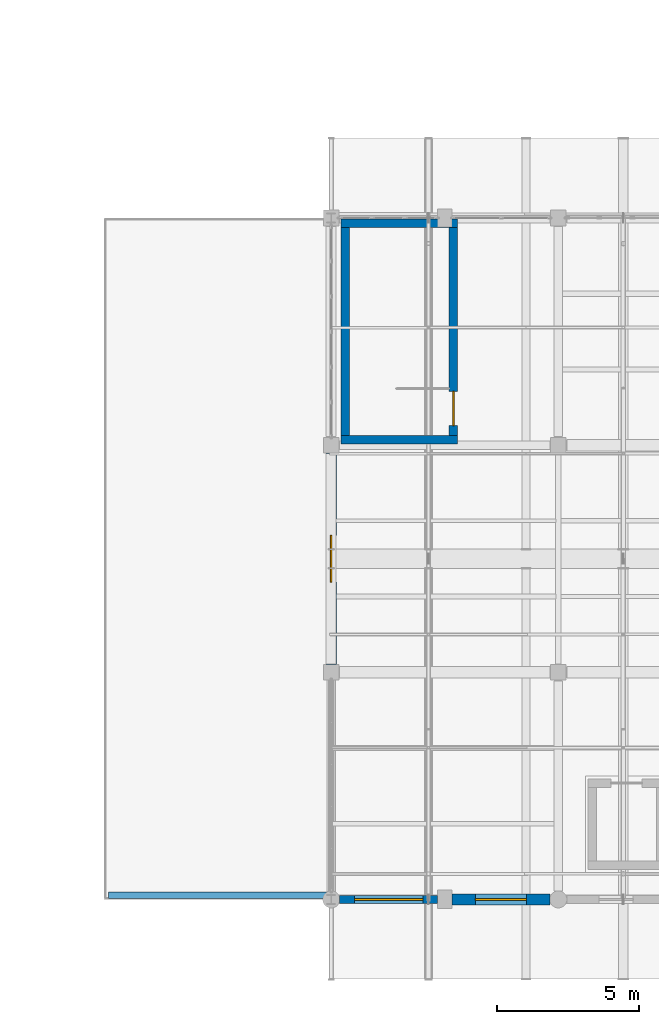
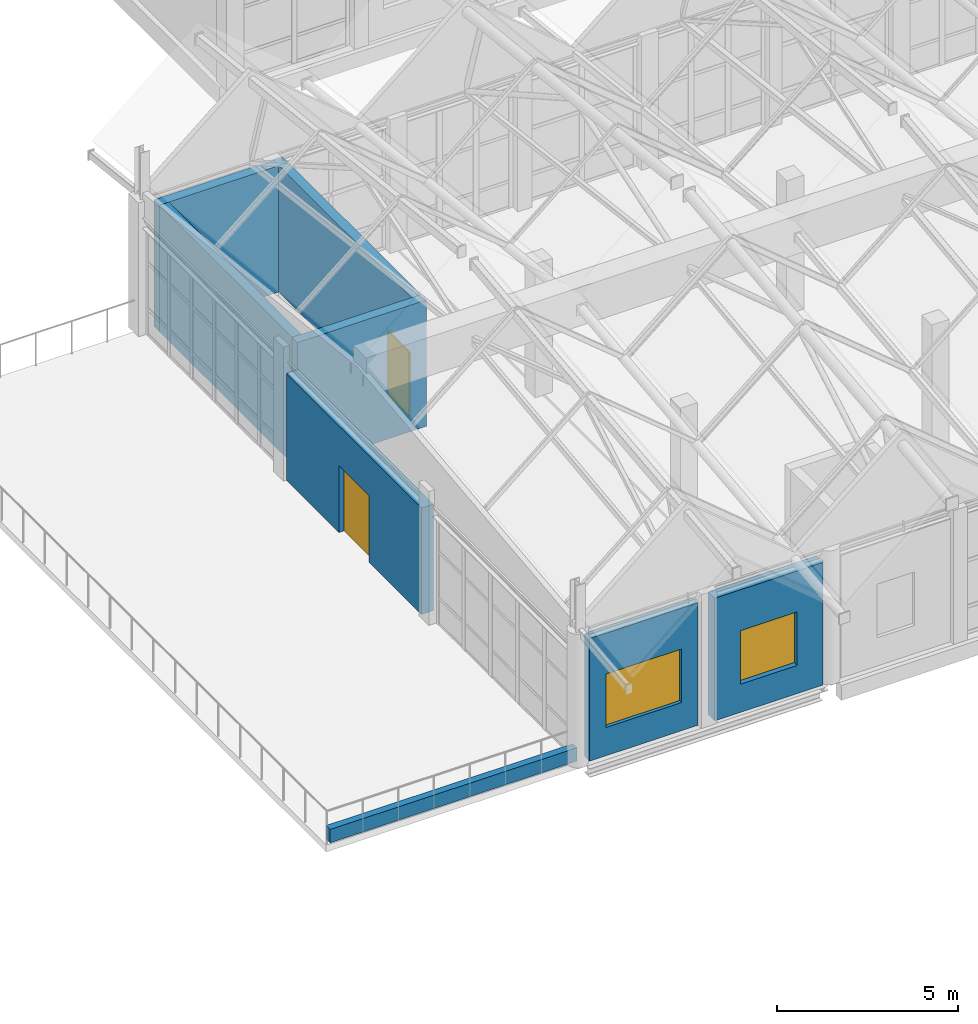
# One storey, part 142 of 183: 8 walls, 2 doors, 2 windows, 4 openings.
"""IFC4 building model written with IfcOpenShell, lengths in metres."""

from ifc_helpers import new_model, si_unit, direction, frame, frame_2d, origin, place, context, subcontext, project, spatial, rectangle, extrude, material, layer, layer_set, type_object, element, fill, save


model = new_model("IFC4")

# Units and contexts
model_context = context("Model", 3, precision=1e-05, world=origin(), true_north=direction((0.0, 1.0)))
body_context = subcontext(model_context, "Body", "Model", "MODEL_VIEW")
ifc_project = project(units=[si_unit("LENGTHUNIT", "METRE"), si_unit("AREAUNIT", "SQUARE_METRE"), si_unit("VOLUMEUNIT", "CUBIC_METRE"), si_unit("PLANEANGLEUNIT", "RADIAN"), si_unit("MASSUNIT", "GRAM", prefix="KILO")], contexts=[model_context])

# Site, building, storey
site_placement = place(None, origin())
site = spatial("IfcSite", under=ifc_project, at=site_placement, CompositionType="ELEMENT")
building_placement = place(site_placement, origin())
building = spatial("IfcBuilding", under=site, at=building_placement, Name="Luwemba Playhouse", CompositionType="ELEMENT")
storey_placement = place(building_placement, frame((0.0, 0.0, 4.800048828125)))
storey = spatial("IfcBuildingStorey", under=building, at=storey_placement, Name="L01", CompositionType="ELEMENT", Elevation=4.800048828125)

# Wall, opening, door
ifc_material_1 = material(Name="Clay facing brick obra vista masonry", Category="masonry")
ifc_layer_1 = layer(ifc_material_1, 0.3798828125)
ifc_layer_set_1 = layer_set([ifc_layer_1], Name="Clay facing brick obra vista masonry")
wall_type_1 = type_object("IfcWallType", Name="WAL-BRK-380", PredefinedType="SOLIDWALL", material=ifc_layer_set_1)
wall_1_placement = place(storey_placement, frame((124.0, 11.27490234375, 0.0), z_axis=(0.0, 0.0, 1.0), x_axis=(0.0, 1.0, 0.0)))
wall_1 = element("IfcWall", 1, at=wall_1_placement, inside=storey, type_object=wall_type_1, Name="L01 V5E exterior facade wall 0200", PredefinedType="SOLIDWALL", context=body_context, shape_type="SweptSolid", body=[
    extrude(rectangle(XDim=7.4501953125, YDim=0.3798828125, at=frame_2d((3.72509765625, 0.0))), origin(), (0.0, 0.0, 1.0), 3.5849609375),
])
opening_1_placement = place(wall_1_placement, frame((2.89990234375, 0.0, 0.0)))
opening_1 = element("IfcOpeningElement", 2, at=opening_1_placement, cuts=wall_1, Name="Opening D-TR1", PredefinedType="OPENING", context=body_context, shape_type="SweptSolid", body=[
    extrude(rectangle(XDim=1.64990234375, YDim=2.25, at=frame_2d((0.824951171875, 1.125))), frame((0.0, 0.199951171875, 0.0), z_axis=(0.0, -1.0, 0.0), x_axis=(1.0, 0.0, 0.0)), (0.0, 0.0, 1.0), 0.39990234375),
])
ifc_material_2 = material(Name="Architectural bronze-anodised aluminium and glazed leaf", Category="aluminium")
door_type_1 = type_object("IfcDoorType", Name="DR-TER-165", OperationType="NOTDEFINED", PredefinedType="DOOR", material=ifc_material_2)
door_1_placement = place(opening_1_placement, origin())
door_1 = element("IfcDoor", 3, at=door_1_placement, inside=storey, type_object=door_type_1, Name="L01 TER-V5E-L01 terrace entrance door", OperationType="DOUBLE_DOOR_SINGLE_SWING", OverallHeight=2.25, OverallWidth=1.64990234375, PredefinedType="DOOR", context=body_context, shape_type="SweptSolid", body=[
    extrude(rectangle(XDim=1.64990234375, YDim=2.25, at=frame_2d((0.824951171875, 1.125))), frame((0.0, 0.02490234375, 0.0), z_axis=(0.0, -1.0, 0.0), x_axis=(1.0, 0.0, 0.0)), (0.0, 0.0, 1.0), 0.050048828125),
])
fill(opening_1, door_1)

# Wall, opening, window
wall_2_placement = place(storey_placement, frame((131.699951171875, 3.0, 0.0), z_axis=(0.0, 0.0, 1.0), x_axis=(-1.0, 0.0, 0.0)))
wall_2 = element("IfcWall", 4, at=wall_2_placement, inside=storey, type_object=wall_type_1, Name="L01 V5E exterior facade wall 0202", PredefinedType="SOLIDWALL", context=body_context, shape_type="SweptSolid", body=[
    extrude(rectangle(XDim=3.449951171875, YDim=0.3798828125, at=frame_2d((1.72509765625, 0.0))), origin(), (0.0, 0.0, 1.0), 4.125),
])
opening_2_placement = place(wall_2_placement, frame((0.824951171875, 0.0, 0.949951171875)))
opening_2 = element("IfcOpeningElement", 5, at=opening_2_placement, cuts=wall_2, Name="Opening WN-04", PredefinedType="OPENING", context=body_context, shape_type="SweptSolid", body=[
    extrude(rectangle(XDim=1.800048828125, YDim=1.800048828125, at=frame_2d((0.89990234375, 0.89990234375))), frame((0.0, 0.199951171875, 0.0), z_axis=(0.0, -1.0, 0.0), x_axis=(1.0, 0.0, 0.0)), (0.0, 0.0, 1.0), 0.39990234375),
])
ifc_material_3 = material(Name="Solar-control double glazing in aluminium frame", Category="aluminium")
window_type_1 = type_object("IfcWindowType", Name="WIN-WN-04", PartitioningType="DOUBLE_PANEL_VERTICAL", PredefinedType="WINDOW", material=ifc_material_3)
window_1_placement = place(opening_2_placement, origin())
window_1 = element("IfcWindow", 6, at=window_1_placement, inside=storey, type_object=window_type_1, Name="L01 V5E scheduled window 0150", OverallHeight=1.800048828125, OverallWidth=1.800048828125, PartitioningType="DOUBLE_PANEL_VERTICAL", PredefinedType="WINDOW", context=body_context, shape_type="SweptSolid", body=[
    extrude(rectangle(XDim=1.800048828125, YDim=1.800048828125, at=frame_2d((0.89990234375, 0.89990234375))), frame((0.0, 0.030029296875, 0.0), z_axis=(0.0, -1.0, 0.0), x_axis=(1.0, 0.0, 0.0)), (0.0, 0.0, 1.0), 0.06005859375),
])
fill(opening_2, window_1)

# Walls
ifc_material_4 = material(Name="Concrete C40/50", Category="concrete")
ifc_layer_2 = layer(ifc_material_4, 0.300048828125)
ifc_layer_set_2 = layer_set([ifc_layer_2], Name="Concrete C40/50")
wall_type_2 = type_object("IfcWallType", Name="WAL-CORE-300", PredefinedType="SHEAR", material=ifc_layer_set_2)
for number, where, z_axis, x_axis, name in (
    (7, (124.35009765625, 19.18994140625, 0.0), (0.0, 0.0, 1.0), (1.0, 0.0, 0.0), "L01 ST-14 stair core wall S"),
    (8, (128.449951171875, 26.81005859375, 0.0), (0.0, 0.0, 1.0), (-1.0, 0.0, 0.0), "L01 ST-14 stair core wall N"),
):
    element("IfcWall", number, at=place(storey_placement, frame(where, z_axis=z_axis, x_axis=x_axis)), inside=storey, type_object=wall_type_2, Name=name, PredefinedType="SHEAR", context=body_context, shape_type="SweptSolid", body=[
        extrude(rectangle(XDim=4.099853515625, YDim=0.300048828125, at=frame_2d((2.0498046875, 0.0))), origin(), (0.0, 0.0, 1.0), 4.25),
    ])
wall_3_placement = place(storey_placement, frame((124.5, 19.340087890625, 0.0), z_axis=(0.0, 0.0, 1.0), x_axis=(0.0, 1.0, 0.0)))
element("IfcWall", 9, at=wall_3_placement, inside=storey, type_object=wall_type_2, Name="L01 ST-14 stair core wall W", PredefinedType="SHEAR", context=body_context, shape_type="SweptSolid", body=[
    extrude(rectangle(XDim=7.31982421875, YDim=0.300048828125, at=frame_2d((3.659912109375, 0.0))), origin(), (0.0, 0.0, 1.0), 4.25),
])

# Wall, opening, door
wall_4_placement = place(storey_placement, frame((128.300048828125, 19.340087890625, 0.0), z_axis=(0.0, 0.0, 1.0), x_axis=(0.0, 1.0, 0.0)))
wall_4 = element("IfcWall", 10, at=wall_4_placement, inside=storey, type_object=wall_type_2, Name="L01 ST-14 stair core wall E", PredefinedType="SHEAR", context=body_context, shape_type="SweptSolid", body=[
    extrude(rectangle(XDim=7.31982421875, YDim=0.300048828125, at=frame_2d((3.659912109375, 0.0))), origin(), (0.0, 0.0, 1.0), 4.25),
])
opening_3_placement = place(wall_4_placement, frame((0.35009765625, 0.0, 0.0)))
opening_3 = element("IfcOpeningElement", 11, at=opening_3_placement, cuts=wall_4, Name="Opening D-STAIR3", PredefinedType="OPENING", context=body_context, shape_type="SweptSolid", body=[
    extrude(rectangle(XDim=1.199951171875, YDim=2.14990234375, at=frame_2d((0.60009765625, 1.074951171875))), frame((0.0, 0.159912109375, 0.0), z_axis=(0.0, -1.0, 0.0), x_axis=(1.0, 0.0, 0.0)), (0.0, 0.0, 1.0), 0.320068359375),
])
ifc_material_5 = material(Name="Hardwood acoustic fire door leaf", Category="wood")
door_type_2 = type_object("IfcDoorType", Name="DR-STAIR-120", OperationType="NOTDEFINED", PredefinedType="DOOR", material=ifc_material_5)
door_2_placement = place(opening_3_placement, origin())
door_2 = element("IfcDoor", 12, at=door_2_placement, inside=storey, type_object=door_type_2, Name="L01 ST-14 protected stair entry door", OperationType="SINGLE_SWING_RIGHT", OverallHeight=2.14990234375, OverallWidth=1.199951171875, PredefinedType="DOOR", context=body_context, shape_type="SweptSolid", body=[
    extrude(rectangle(XDim=1.199951171875, YDim=2.14990234375, at=frame_2d((0.60009765625, 1.074951171875))), frame((0.0, 0.02490234375, 0.0), z_axis=(0.0, -1.0, 0.0), x_axis=(1.0, 0.0, 0.0)), (0.0, 0.0, 1.0), 0.050048828125),
])
fill(opening_3, door_2)

# Wall
ifc_material_6 = material(Name="Trencadis ceramic mosaic masonry", Category="masonry")
ifc_layer_3 = layer(ifc_material_6, 0.22509765625)
ifc_layer_set_3 = layer_set([ifc_layer_3], Name="Trencadis ceramic mosaic masonry")
wall_type_3 = type_object("IfcWallType", Name="WAL-PAR-225", PredefinedType="PARAPET", material=ifc_layer_set_3)
wall_5_placement = place(storey_placement, frame((116.14990234375, 3.14990234375, 0.0), z_axis=(0.0, 0.0, 1.0), x_axis=(1.0, 0.0, 0.0)))
element("IfcWall", 13, at=wall_5_placement, inside=storey, type_object=wall_type_3, Name="Forecourt terrace south trencadis coping", PredefinedType="PARAPET", context=body_context, shape_type="SweptSolid", body=[
    extrude(rectangle(XDim=7.85009765625, YDim=0.22509765625, at=frame_2d((3.925048828125, 0.0))), origin(), (0.0, 0.0, 1.0), 0.449951171875),
])

# Wall, opening, window
ifc_material_7 = material(Name="Structural timber GL24h infill", Category="wood")
ifc_layer_4 = layer(ifc_material_7, 0.280029296875)
ifc_layer_set_4 = layer_set([ifc_layer_4], Name="Structural timber GL24h infill")
wall_type_4 = type_object("IfcWallType", Name="WAL-TIM-280", PredefinedType="SOLIDWALL", material=ifc_layer_set_4)
wall_6_placement = place(storey_placement, frame((127.75, 3.0, 0.0), z_axis=(0.0, 0.0, 1.0), x_axis=(-1.0, 0.0, 0.0)))
wall_6 = element("IfcWall", 14, at=wall_6_placement, inside=storey, type_object=wall_type_4, Name="L01 V5E exterior facade wall 0203", PredefinedType="SOLIDWALL", context=body_context, shape_type="SweptSolid", body=[
    extrude(rectangle(XDim=3.449951171875, YDim=0.280029296875, at=frame_2d((1.72509765625, 0.0))), origin(), (0.0, 0.0, 1.0), 4.125),
])
opening_4_placement = place(wall_6_placement, frame((0.52490234375, 0.0, 0.949951171875)))
opening_4 = element("IfcOpeningElement", 15, at=opening_4_placement, cuts=wall_6, Name="Opening WN-07", PredefinedType="OPENING", context=body_context, shape_type="SweptSolid", body=[
    extrude(rectangle(XDim=2.39990234375, YDim=1.800048828125, at=frame_2d((1.199951171875, 0.89990234375))), frame((0.0, 0.14990234375, 0.0), z_axis=(0.0, -1.0, 0.0), x_axis=(1.0, 0.0, 0.0)), (0.0, 0.0, 1.0), 0.300048828125),
])
window_type_2 = type_object("IfcWindowType", Name="WIN-WN-07", PartitioningType="TRIPLE_PANEL_VERTICAL", PredefinedType="WINDOW", material=ifc_material_3)
window_2_placement = place(opening_4_placement, origin())
window_2 = element("IfcWindow", 16, at=window_2_placement, inside=storey, type_object=window_type_2, Name="L01 V5E scheduled window 0151", OverallHeight=1.800048828125, OverallWidth=2.39990234375, PartitioningType="TRIPLE_PANEL_VERTICAL", PredefinedType="WINDOW", context=body_context, shape_type="SweptSolid", body=[
    extrude(rectangle(XDim=2.39990234375, YDim=1.800048828125, at=frame_2d((1.199951171875, 0.89990234375))), frame((0.0, 0.030029296875, 0.0), z_axis=(0.0, -1.0, 0.0), x_axis=(1.0, 0.0, 0.0)), (0.0, 0.0, 1.0), 0.06005859375),
])
fill(opening_4, window_2)

save(model, "model.ifc")
